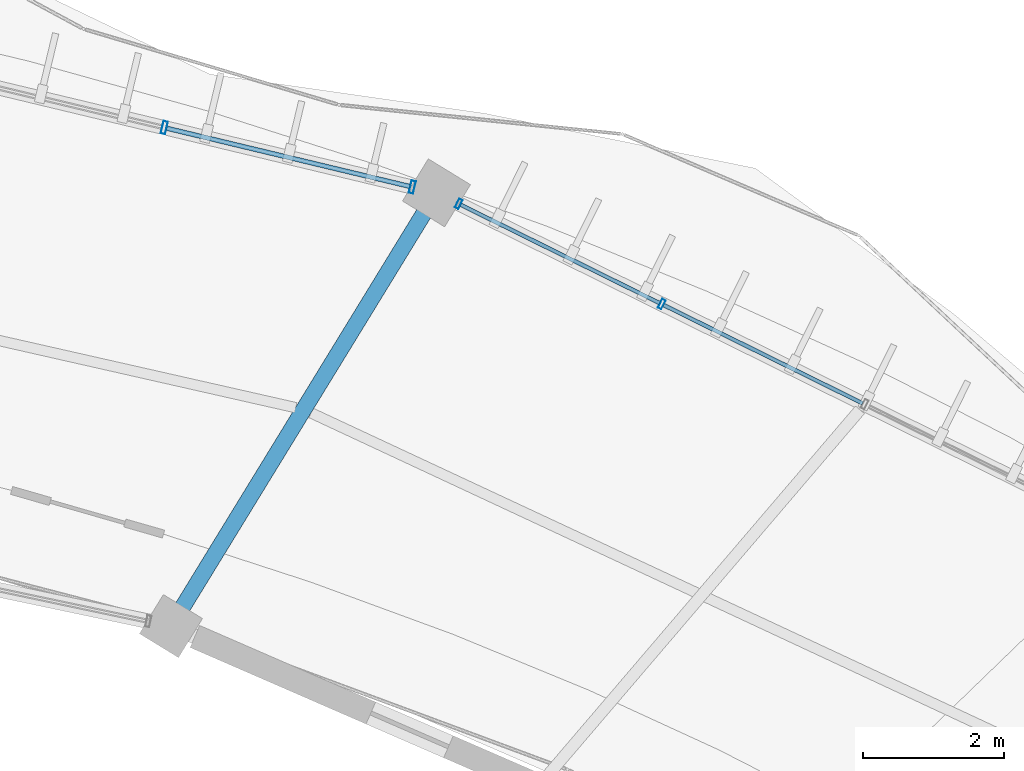
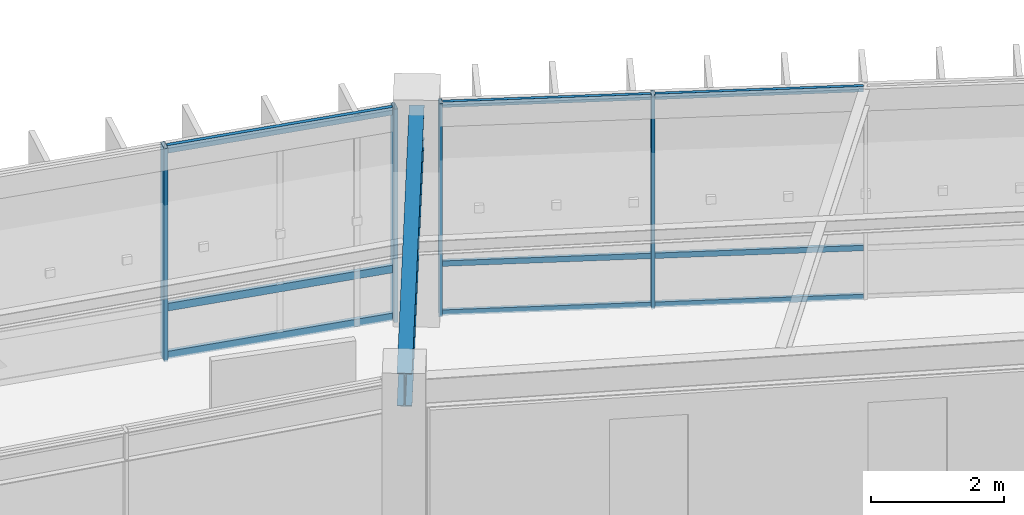
# One storey, part 74 of 138: 13 members, 1 beam, 2 elements without a shape of their own.
"""IFC4 building model written with IfcOpenShell, lengths in metres."""

from ifc_helpers import new_model, si_unit, direction, frame, origin, origin_2d, place, context, subcontext, project, spatial, hollow_rectangle, i_section, extrude, material, material_profile, profile_set, type_object, element, aggregate, save


model = new_model("IFC4")

# Units and contexts
model_context = context("Model", 3, precision=1e-05, world=origin(), true_north=direction((0.0, 1.0)))
body_context = subcontext(model_context, "Body", "Model", "MODEL_VIEW")
ifc_project = project(units=[si_unit("LENGTHUNIT", "METRE"), si_unit("AREAUNIT", "SQUARE_METRE"), si_unit("VOLUMEUNIT", "CUBIC_METRE"), si_unit("PLANEANGLEUNIT", "RADIAN"), si_unit("MASSUNIT", "GRAM", prefix="KILO"), si_unit("THERMODYNAMICTEMPERATUREUNIT", "KELVIN"), si_unit("POWERUNIT", "WATT")], contexts=[model_context])

# Site, building, storey
site_placement = place(None, origin())
site = spatial("IfcSite", under=ifc_project, at=site_placement, CompositionType="ELEMENT")
building_placement = place(site_placement, origin())
building = spatial("IfcBuilding", under=site, at=building_placement, Name="Darbajah Civic Hall", CompositionType="ELEMENT")
storey_placement = place(building_placement, frame((0.0, 0.0, 9.60009765625)))
storey = spatial("IfcBuildingStorey", under=building, at=storey_placement, Name="L02", CompositionType="ELEMENT", Elevation=9.60009765625)

# Curtain wall, members
ifc_material_1 = material(Name="Anodised Bronze Aluminium and Low-E Glazing", Category="aluminium")
curtain_wall_type_1 = type_object("IfcCurtainWallType", Name="Unitised Curtain Wall CW-20 12800x3900", PredefinedType="USERDEFINED", material=ifc_material_1)
curtain_wall_1_placement = place(storey_placement, origin())
curtain_wall_1 = element("IfcCurtainWall", 1, at=curtain_wall_1_placement, inside=storey, type_object=curtain_wall_type_1, Name="L02 unitised curtain wall CW-V1O-L02-02", ObjectType="UNITISED CURTAIN WALL", PredefinedType="USERDEFINED")
ifc_material_2 = material(Name="Anodised Bronze Aluminium", Category="aluminium")
ifc_material_profile_1 = material_profile(ifc_material_2, hollow_rectangle(XDim=0.054931640625, YDim=0.139892578125, WallThickness=0.003173828125, at=origin_2d()), Name="ALU MULLION 55x140")
ifc_profile_set_1 = profile_set([ifc_material_profile_1], Name="Anodised Bronze Aluminium")
member_type_1 = type_object("IfcMemberType", Name="ALU MULLION 55x140", PredefinedType="MULLION", material=ifc_profile_set_1)
member_1_placement = place(storey_placement, frame((118.9384765625, 113.37646484375, 0.0), z_axis=(0.0, 0.0, 1.0), x_axis=(-0.89656374724, 0.442914717678, 0.0)))
member_1 = element("IfcMember", 2, at=member_1_placement, type_object=member_type_1, Name="CW-V1O-L02-02 mullion 4", PredefinedType="MULLION", context=body_context, shape_type="SweptSolid", body=[
    extrude(hollow_rectangle(XDim=0.054931640625, YDim=0.139892578125, WallThickness=0.003173828125, at=origin_2d()), origin(), (0.0, 0.0, 1.0), 3.919921875),
])
member_2_placement = place(storey_placement, frame((116.06298828125, 114.797119140625, 0.0), z_axis=(0.0, 0.0, 1.0), x_axis=(-0.89656374724, 0.442914717678, 0.0)))
member_2 = element("IfcMember", 3, at=member_2_placement, type_object=member_type_1, Name="CW-V1O-L02-02 mullion 5", PredefinedType="MULLION", context=body_context, shape_type="SweptSolid", body=[
    extrude(hollow_rectangle(XDim=0.054931640625, YDim=0.139892578125, WallThickness=0.003173828125, at=origin_2d()), origin(), (0.0, 0.0, 1.0), 3.919921875),
])

curtain_wall_type_2 = type_object("IfcCurtainWallType", Name="Unitised Curtain Wall CW-40 14500x3900", PredefinedType="USERDEFINED", material=ifc_material_1)
curtain_wall_2_placement = place(storey_placement, origin())
curtain_wall_2 = element("IfcCurtainWall", 4, at=curtain_wall_2_placement, inside=storey, type_object=curtain_wall_type_2, Name="L02 unitised curtain wall CW-V1O-L02-03", ObjectType="UNITISED CURTAIN WALL", PredefinedType="USERDEFINED")
ifc_material_profile_2 = material_profile(ifc_material_2, hollow_rectangle(XDim=0.06494140625, YDim=0.179931640625, WallThickness=0.00390625, at=origin_2d()), Name="ALU MULLION 65x180")
ifc_profile_set_2 = profile_set([ifc_material_profile_2], Name="Anodised Bronze Aluminium")
member_type_2 = type_object("IfcMemberType", Name="ALU MULLION 65x180", PredefinedType="MULLION", material=ifc_profile_set_2)
member_3_placement = place(storey_placement, frame((115.405029296875, 115.034912109375, 0.0), z_axis=(0.0, 0.0, 1.0), x_axis=(-0.972492018808, 0.232936200179, 0.0)))
member_3 = element("IfcMember", 5, at=member_3_placement, type_object=member_type_2, Name="CW-V1O-L02-03 mullion 1", PredefinedType="MULLION", context=body_context, shape_type="SweptSolid", body=[
    extrude(hollow_rectangle(XDim=0.06494140625, YDim=0.179931640625, WallThickness=0.00390625, at=origin_2d()), origin(), (0.0, 0.0, 1.0), 3.919921875),
])
member_4_placement = place(storey_placement, frame((111.890869140625, 115.876953125, 0.0), z_axis=(0.0, 0.0, 1.0), x_axis=(-0.972492018808, 0.232936200179, 0.0)))
member_4 = element("IfcMember", 6, at=member_4_placement, type_object=member_type_2, Name="CW-V1O-L02-03 mullion 2", PredefinedType="MULLION", context=body_context, shape_type="SweptSolid", body=[
    extrude(hollow_rectangle(XDim=0.06494140625, YDim=0.179931640625, WallThickness=0.00390625, at=origin_2d()), origin(), (0.0, 0.0, 1.0), 3.919921875),
])

# Member
ifc_material_profile_3 = material_profile(ifc_material_2, hollow_rectangle(XDim=0.054931640625, YDim=0.10009765625, WallThickness=0.0029296875, at=origin_2d()), Name="ALU TRANSOM 55x100")
ifc_profile_set_3 = profile_set([ifc_material_profile_3], Name="Anodised Bronze Aluminium")
member_type_3 = type_object("IfcMemberType", Name="ALU TRANSOM 55x100", PredefinedType="USERDEFINED", material=ifc_profile_set_3)
member_5_placement = place(storey_placement, frame((121.784912109375, 111.97021484375, 0.0498046875), z_axis=(-0.896545955062, 0.442950731416, 0.0), x_axis=(-0.442950731416, -0.896545955062, 0.0)))
member_5 = element("IfcMember", 7, at=member_5_placement, type_object=member_type_3, Name="CW-V1O-L02-02 transom 3.1", ObjectType="TRANSOM", PredefinedType="USERDEFINED", context=body_context, shape_type="SweptSolid", body=[
    extrude(hollow_rectangle(XDim=0.054931640625, YDim=0.10009765625, WallThickness=0.0029296875, at=origin_2d()), origin(), (0.0, 0.0, 1.0), 3.142333984375),
])

member_6_placement = place(storey_placement, frame((121.784912109375, 111.97021484375, 0.949951171875), z_axis=(-0.896545955062, 0.442950731416, 0.0), x_axis=(-0.442950731416, -0.896545955062, 0.0)))
member_6 = element("IfcMember", 8, at=member_6_placement, type_object=member_type_3, Name="CW-V1O-L02-02 transom 3.2", ObjectType="TRANSOM", PredefinedType="USERDEFINED", context=body_context, shape_type="SweptSolid", body=[
    extrude(hollow_rectangle(XDim=0.054931640625, YDim=0.10009765625, WallThickness=0.0029296875, at=origin_2d()), origin(), (0.0, 0.0, 1.0), 3.142333984375),
])

member_7_placement = place(storey_placement, frame((121.784912109375, 111.97021484375, 3.869873046875), z_axis=(-0.896545955062, 0.442950731416, 0.0), x_axis=(-0.442950731416, -0.896545955062, 0.0)))
member_7 = element("IfcMember", 9, at=member_7_placement, type_object=member_type_3, Name="CW-V1O-L02-02 transom 3.3", ObjectType="TRANSOM", PredefinedType="USERDEFINED", context=body_context, shape_type="SweptSolid", body=[
    extrude(hollow_rectangle(XDim=0.054931640625, YDim=0.10009765625, WallThickness=0.0029296875, at=origin_2d()), origin(), (0.0, 0.0, 1.0), 3.142333984375),
])

member_8_placement = place(storey_placement, frame((118.909423828125, 113.390869140625, 0.0498046875), z_axis=(-0.896561198041, 0.442919877819, 0.0), x_axis=(-0.442919877819, -0.896561198041, 0.0)))
member_8 = element("IfcMember", 10, at=member_8_placement, type_object=member_type_3, Name="CW-V1O-L02-02 transom 4.1", ObjectType="TRANSOM", PredefinedType="USERDEFINED", context=body_context, shape_type="SweptSolid", body=[
    extrude(hollow_rectangle(XDim=0.054931640625, YDim=0.10009765625, WallThickness=0.0029296875, at=origin_2d()), origin(), (0.0, 0.0, 1.0), 3.142333984375),
])

member_9_placement = place(storey_placement, frame((118.909423828125, 113.390869140625, 0.949951171875), z_axis=(-0.896561198041, 0.442919877819, 0.0), x_axis=(-0.442919877819, -0.896561198041, 0.0)))
member_9 = element("IfcMember", 11, at=member_9_placement, type_object=member_type_3, Name="CW-V1O-L02-02 transom 4.2", ObjectType="TRANSOM", PredefinedType="USERDEFINED", context=body_context, shape_type="SweptSolid", body=[
    extrude(hollow_rectangle(XDim=0.054931640625, YDim=0.10009765625, WallThickness=0.0029296875, at=origin_2d()), origin(), (0.0, 0.0, 1.0), 3.142333984375),
])

member_10_placement = place(storey_placement, frame((118.909423828125, 113.390869140625, 3.869873046875), z_axis=(-0.896561198041, 0.442919877819, 0.0), x_axis=(-0.442919877819, -0.896561198041, 0.0)))
member_10 = element("IfcMember", 12, at=member_10_placement, type_object=member_type_3, Name="CW-V1O-L02-02 transom 4.3", ObjectType="TRANSOM", PredefinedType="USERDEFINED", context=body_context, shape_type="SweptSolid", body=[
    extrude(hollow_rectangle(XDim=0.054931640625, YDim=0.10009765625, WallThickness=0.0029296875, at=origin_2d()), origin(), (0.0, 0.0, 1.0), 3.142333984375),
])

aggregate(curtain_wall_1, [member_1, member_2, member_5, member_6, member_7, member_8, member_9, member_10])

ifc_material_profile_4 = material_profile(ifc_material_2, hollow_rectangle(XDim=0.06494140625, YDim=0.139892578125, WallThickness=0.00341796875, at=origin_2d()), Name="ALU TRANSOM 65x140")
ifc_profile_set_4 = profile_set([ifc_material_profile_4], Name="Anodised Bronze Aluminium")
member_type_4 = type_object("IfcMemberType", Name="ALU TRANSOM 65x140", PredefinedType="USERDEFINED", material=ifc_profile_set_4)
member_11_placement = place(storey_placement, frame((115.36865234375, 115.043701171875, 0.06982421875), z_axis=(-0.972481783214, 0.23297892891, 0.0), x_axis=(-0.23297892891, -0.972481783214, 0.0)))
member_11 = element("IfcMember", 13, at=member_11_placement, type_object=member_type_4, Name="CW-V1O-L02-03 transom 1.1", ObjectType="TRANSOM", PredefinedType="USERDEFINED", context=body_context, shape_type="SweptSolid", body=[
    extrude(hollow_rectangle(XDim=0.06494140625, YDim=0.139892578125, WallThickness=0.00341796875, at=origin_2d()), origin(), (0.0, 0.0, 1.0), 3.538818359375),
])

member_12_placement = place(storey_placement, frame((115.36865234375, 115.043701171875, 0.949951171875), z_axis=(-0.972481783214, 0.23297892891, 0.0), x_axis=(-0.23297892891, -0.972481783214, 0.0)))
member_12 = element("IfcMember", 14, at=member_12_placement, type_object=member_type_4, Name="CW-V1O-L02-03 transom 1.2", ObjectType="TRANSOM", PredefinedType="USERDEFINED", context=body_context, shape_type="SweptSolid", body=[
    extrude(hollow_rectangle(XDim=0.06494140625, YDim=0.139892578125, WallThickness=0.00341796875, at=origin_2d()), origin(), (0.0, 0.0, 1.0), 3.538818359375),
])

member_13_placement = place(storey_placement, frame((115.36865234375, 115.043701171875, 3.849853515625), z_axis=(-0.972481783214, 0.23297892891, 0.0), x_axis=(-0.23297892891, -0.972481783214, 0.0)))
member_13 = element("IfcMember", 15, at=member_13_placement, type_object=member_type_4, Name="CW-V1O-L02-03 transom 1.3", ObjectType="TRANSOM", PredefinedType="USERDEFINED", context=body_context, shape_type="SweptSolid", body=[
    extrude(hollow_rectangle(XDim=0.06494140625, YDim=0.139892578125, WallThickness=0.00341796875, at=origin_2d()), origin(), (0.0, 0.0, 1.0), 3.538818359375),
])

aggregate(curtain_wall_2, [member_3, member_4, member_11, member_12, member_13])

# Beam
ifc_material_3 = material(Name="Steel S355JR", Category="steel")
ifc_material_profile_5 = material_profile(ifc_material_3, i_section(OverallWidth=0.228271484375, OverallDepth=0.607666015625, WebThickness=0.010986328125, FlangeThickness=0.017333984375, FilletRadius=0.0126953125, at=origin_2d()), Name="UB 610x229x113")
ifc_profile_set_5 = profile_set([ifc_material_profile_5], Name="Steel S355JR")
beam_type = type_object("IfcBeamType", Name="UB 610x229x113", PredefinedType="BEAM", material=ifc_profile_set_5)
beam_placement = place(storey_placement, frame((112.027099609375, 108.882080078125, 3.6162109375), z_axis=(0.522500254411, 0.852639128905, 0.0), x_axis=(-0.852639128905, 0.522500254411, 0.0)))
element("IfcBeam", 16, at=beam_placement, inside=storey, type_object=beam_type, Name="L02 beam SB-610", PredefinedType="BEAM", context=body_context, shape_type="SweptSolid", body=[
    extrude(i_section(OverallWidth=0.228271484375, OverallDepth=0.607666015625, WebThickness=0.010986328125, FlangeThickness=0.017333984375, FilletRadius=0.0126953125, at=origin_2d()), origin(), (0.0, 0.0, 1.0), 7.0400390625),
])

save(model, "model.ifc")
